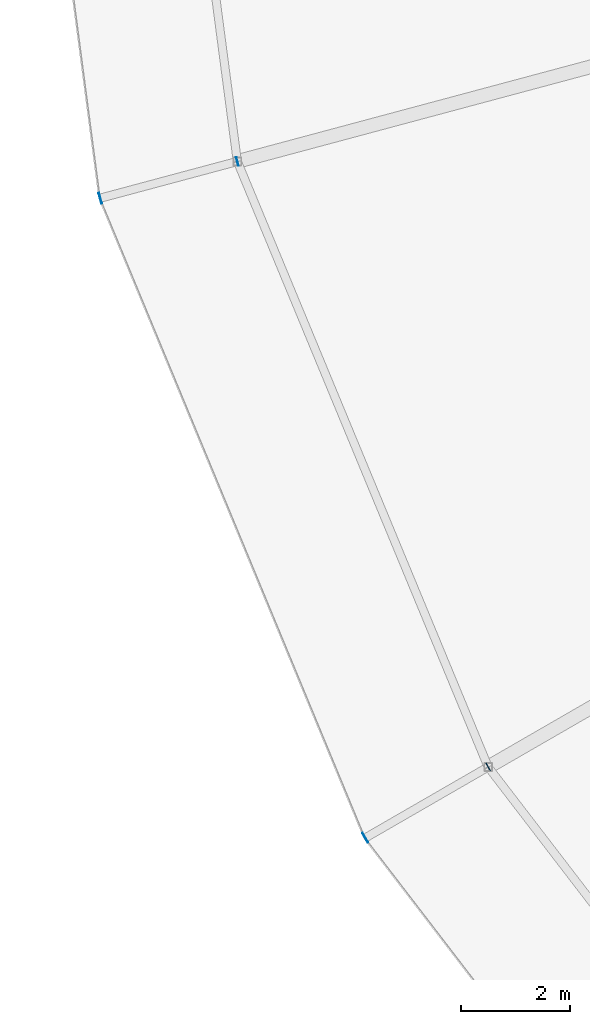
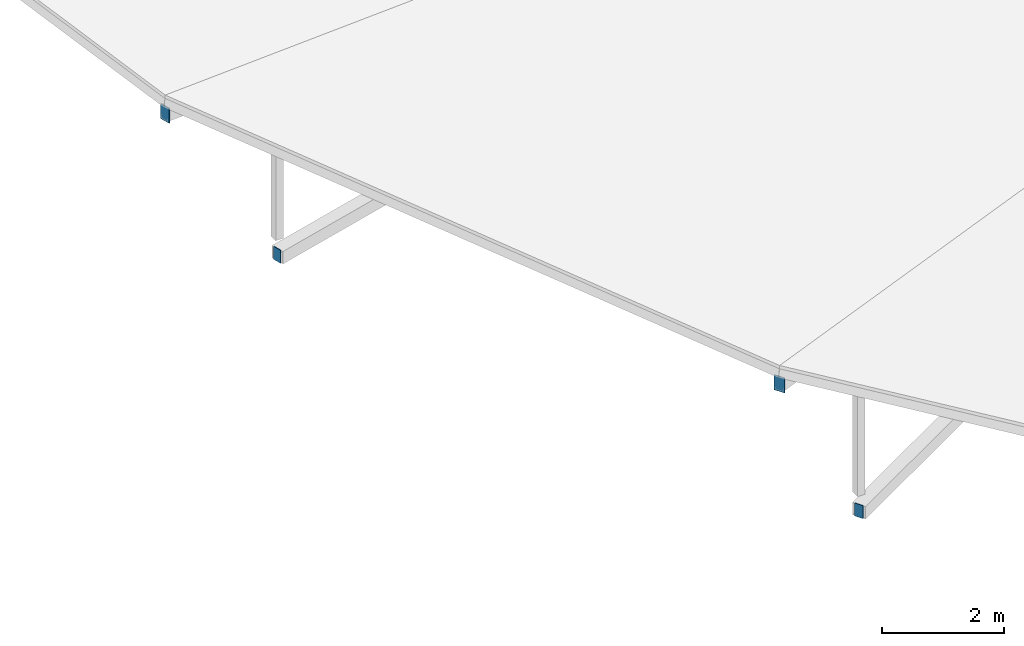
# One storey, part 39 of 70: 4 plates.
"""IFC4 building model written with IfcOpenShell, lengths in metres."""

from ifc_helpers import new_model, si_unit, direction, frame, origin, origin_2d, place, context, subcontext, project, spatial, rectangle, extrude, material, layer, layer_set, type_object, element, save


model = new_model("IFC4")

# Units and contexts
model_context = context("Model", 3, precision=1e-05, world=origin(), true_north=direction((0.0, 1.0)))
body_context = subcontext(model_context, "Body", "Model", "MODEL_VIEW")
ifc_project = project(units=[si_unit("LENGTHUNIT", "METRE"), si_unit("AREAUNIT", "SQUARE_METRE"), si_unit("VOLUMEUNIT", "CUBIC_METRE"), si_unit("PLANEANGLEUNIT", "RADIAN"), si_unit("MASSUNIT", "GRAM", prefix="KILO")], contexts=[model_context])

# Site, building, storey
site_placement = place(None, origin())
site = spatial("IfcSite", under=ifc_project, at=site_placement, CompositionType="ELEMENT")
building_placement = place(site_placement, origin())
building = spatial("IfcBuilding", under=site, at=building_placement, Name="Vondelvale Polytechnic", CompositionType="ELEMENT")
storey_placement = place(building_placement, frame((0.0, 0.0, 22.199951171875)))
storey = spatial("IfcBuildingStorey", under=building, at=storey_placement, Name="L05", CompositionType="ELEMENT", Elevation=22.199951171875)

# Plates
ifc_material = material(Name="Steel Grade 350 (fy = 340 MPa)", Category="steel")
ifc_layer_1 = layer(ifc_material, 0.01611328125)
ifc_layer_set_1 = layer_set([ifc_layer_1], Name="PLATE-CAP-300x200")
plate_type_1 = type_object("IfcPlateType", Name="PLATE-CAP-300x200", PredefinedType="USERDEFINED", material=ifc_layer_set_1)
for number, where, z_axis, x_axis, name in (
    (1, (55.055908203125, 59.42138671875, 3.61572265625), (0.0, 0.0, 1.0), (0.965925826289, 0.258819045103, 0.0), "Ring rafter hollow end cap plate 13O"),
    (2, (59.9111328125, 47.699951171875, 3.61572265625), (0.0, 0.0, 1.0), (0.866025403784, 0.5, 0.0), "Ring rafter hollow end cap plate 14O"),
):
    element("IfcPlate", number, at=place(storey_placement, frame(where, z_axis=z_axis, x_axis=x_axis)), inside=storey, type_object=plate_type_1, Name=name, ObjectType="CAP_PLATE", PredefinedType="USERDEFINED", context=body_context, shape_type="SweptSolid", body=[
        extrude(rectangle(XDim=0.01611328125, YDim=0.199951171875, at=origin_2d()), origin(), (0.0, 0.0, 1.0), 0.300048828125),
    ])
ifc_layer_2 = layer(ifc_material, 0.013916015625)
ifc_layer_set_2 = layer_set([ifc_layer_2], Name="PLATE-CAP-C03")
plate_type_2 = type_object("IfcPlateType", Name="PLATE-CAP-C03", PredefinedType="USERDEFINED", material=ifc_layer_set_2)
for number, where, z_axis, x_axis, name in (
    (3, (57.5673828125, 60.09423828125, -0.47998046875), (0.0, 0.0, 1.0), (0.965925826289, 0.258819045103, 0.0), "Ring workshop truss chord end cap 13O"),
    (4, (62.162841796875, 49.0, -0.47998046875), (0.0, 0.0, 1.0), (0.866025403784, 0.5, 0.0), "Ring workshop truss chord end cap 14O"),
):
    element("IfcPlate", number, at=place(storey_placement, frame(where, z_axis=z_axis, x_axis=x_axis)), inside=storey, type_object=plate_type_2, Name=name, ObjectType="CAP_PLATE", PredefinedType="USERDEFINED", context=body_context, shape_type="SweptSolid", body=[
        extrude(rectangle(XDim=0.013916015625, YDim=0.159912109375, at=origin_2d()), origin(), (0.0, 0.0, 1.0), 0.260009765625),
    ])

save(model, "model.ifc")
